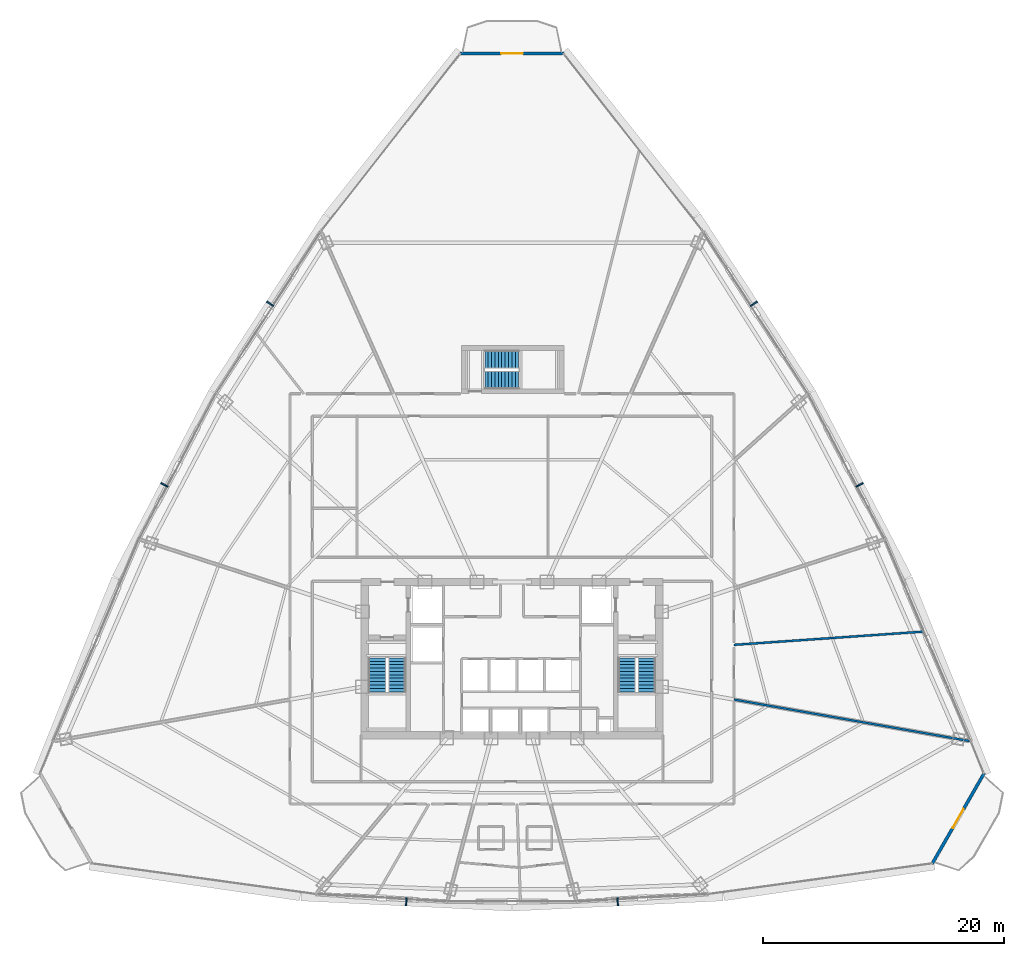
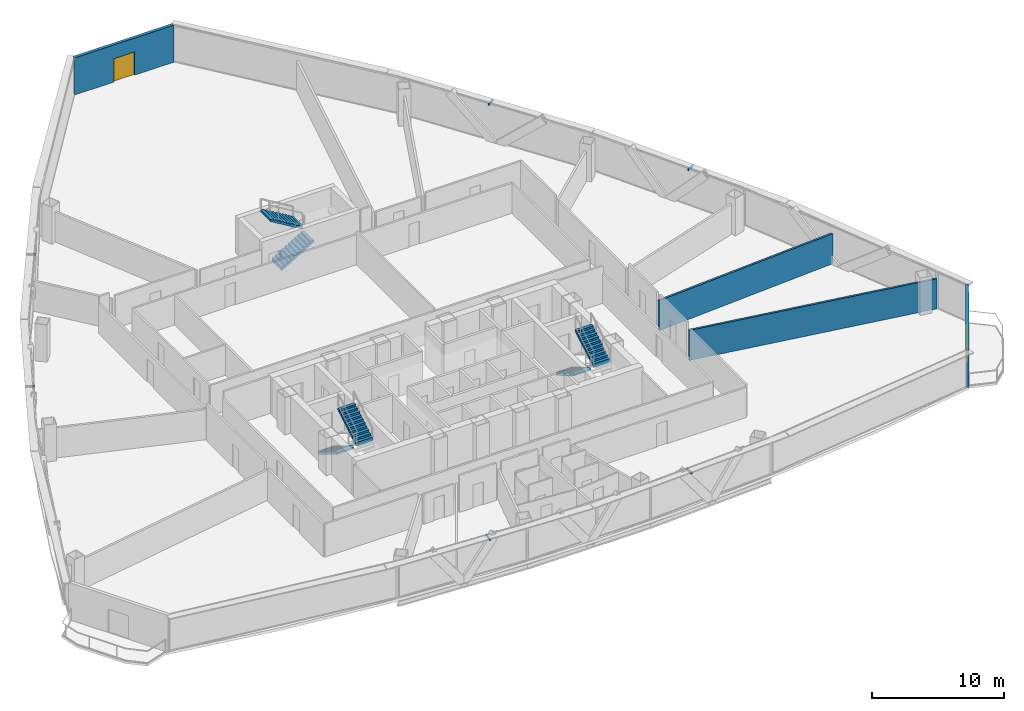
# One storey, part 35 of 39: 6 discrete accessories, 6 stair flights, 4 walls, 2 doors, 2 openings, 3 elements without a shape of their own.
"""IFC4 building model written with IfcOpenShell, lengths in metres."""

from ifc_helpers import new_model, si_unit, direction, frame, frame_2d, origin, origin_with_axes, origin_2d, place, context, subcontext, project, spatial, polyline, rectangle, outline, extrude, source, transform, mapped, material, layer, layer_set, type_object, element, fill, aggregate, save


model = new_model("IFC4")

# Units and contexts
model_context = context("Model", 3, precision=1e-05, world=origin(), true_north=direction((0.0, 1.0)))
body_context = subcontext(model_context, "Body", "Model", "MODEL_VIEW")
ifc_project = project(units=[si_unit("LENGTHUNIT", "METRE"), si_unit("AREAUNIT", "SQUARE_METRE"), si_unit("VOLUMEUNIT", "CUBIC_METRE"), si_unit("PLANEANGLEUNIT", "RADIAN"), si_unit("MASSUNIT", "GRAM", prefix="KILO"), si_unit("THERMODYNAMICTEMPERATUREUNIT", "KELVIN"), si_unit("POWERUNIT", "WATT")], contexts=[model_context])

# Site, building, storey
site_placement = place(None, origin())
site = spatial("IfcSite", under=ifc_project, at=site_placement, CompositionType="ELEMENT")
building_placement = place(site_placement, origin())
building = spatial("IfcBuilding", under=site, at=building_placement, Name="Yunzhuo Pagoda Commons", CompositionType="ELEMENT")
storey_placement = place(building_placement, frame((0.0, 0.0, 166.6298828125)))
storey = spatial("IfcBuildingStorey", under=building, at=storey_placement, Name="L42", CompositionType="ELEMENT", Elevation=166.6298828125)

# Wall, opening, door
ifc_material_1 = material(Name="Precast concrete C40", Category="concrete")
ifc_layer_1 = layer(ifc_material_1, 0.260009765625)
ifc_layer_set_1 = layer_set([ifc_layer_1], Name="Precast concrete C40")
wall_type_1 = type_object("IfcWallType", Name="W-BAL1 Corner Balcony Threshold Wall 260", PredefinedType="STANDARD", material=ifc_layer_set_1)
wall_1_placement = place(storey_placement, frame((82.813720703125, 16.820556640625, 0.0), z_axis=(0.0, 0.0, 1.0), x_axis=(0.497939858886, 0.867211564114, 0.0)))
wall_1 = element("IfcWall", 1, at=wall_1_placement, inside=storey, type_object=wall_type_1, Name="L42 corner balcony wall V2", PredefinedType="STANDARD", context=body_context, shape_type="SweptSolid", body=[
    extrude(rectangle(XDim=8.696044921875, YDim=0.260009765625, at=frame_2d((4.34814453125, 0.0))), origin(), (0.0, 0.0, 1.0), 3.420166015625),
])
opening_1_placement = place(wall_1_placement, frame((3.447998046875, 0.0, 0.0)))
opening_1 = element("IfcOpeningElement", 2, at=opening_1_placement, cuts=wall_1, Name="Opening D-BAL1", PredefinedType="OPENING", context=body_context, shape_type="SweptSolid", body=[
    extrude(rectangle(XDim=1.800048828125, YDim=2.14990234375, at=frame_2d((0.89990234375, 1.074951171875))), frame((0.0, 0.14013671875, 0.0), z_axis=(0.0, -1.0, 0.0), x_axis=(1.0, 0.0, 0.0)), (0.0, 0.0, 1.0), 0.280029296875),
])
ifc_material_2 = material(Name="Anodized aluminium frame and tempered glazed leaf", Category="aluminium")
door_type = type_object("IfcDoorType", Name="D-BAL1 Corner Balcony Sliding Glazed Door 1800x2150", OperationType="DOUBLE_DOOR_SLIDING", PredefinedType="DOOR", material=ifc_material_2)
shared_shape_1 = source(origin(), body_context, "Body", "SweptSolid", [
    extrude(rectangle(XDim=1.800048828125, YDim=2.14990234375, at=frame_2d((0.89990234375, 1.074951171875))), frame((0.0, 0.02490234375, 0.0), z_axis=(0.0, -1.0, 0.0), x_axis=(1.0, 0.0, 0.0)), (0.0, 0.0, 1.0), 0.050048828125),
])
door_1_placement = place(opening_1_placement, origin_with_axes())
door_1 = element("IfcDoor", 3, at=door_1_placement, inside=storey, type_object=door_type, Name="L42 corner balcony sliding door V2", OperationType="DOUBLE_DOOR_SLIDING", OverallHeight=2.14990234375, OverallWidth=1.800048828125, PredefinedType="DOOR", context=body_context, shape_type="MappedRepresentation", body=[
    mapped(shared_shape_1, transform((0.0, 0.0, 0.0), scale=1.0)),
])
fill(opening_1, door_1)

wall_2_placement = place(storey_placement, frame((52.33056640625, 83.997802734375, 0.0), z_axis=(0.0, 0.0, 1.0), x_axis=(-1.0, 0.0, 0.0)))
wall_2 = element("IfcWall", 4, at=wall_2_placement, inside=storey, type_object=wall_type_1, Name="L42 corner balcony wall V3", PredefinedType="STANDARD", context=body_context, shape_type="SweptSolid", body=[
    extrude(rectangle(XDim=8.6611328125, YDim=0.260009765625, at=frame_2d((4.33056640625, 0.0))), origin(), (0.0, 0.0, 1.0), 3.420166015625),
])
opening_2_placement = place(wall_2_placement, frame((3.4306640625, 0.0, 0.0)))
opening_2 = element("IfcOpeningElement", 5, at=opening_2_placement, cuts=wall_2, Name="Opening D-BAL1", PredefinedType="OPENING", context=body_context, shape_type="SweptSolid", body=[
    extrude(rectangle(XDim=1.800048828125, YDim=2.14990234375, at=frame_2d((0.89990234375, 1.074951171875))), frame((0.0, 0.14013671875, 0.0), z_axis=(0.0, -1.0, 0.0), x_axis=(1.0, 0.0, 0.0)), (0.0, 0.0, 1.0), 0.280029296875),
])
door_2_placement = place(opening_2_placement, origin_with_axes())
door_2 = element("IfcDoor", 6, at=door_2_placement, inside=storey, type_object=door_type, Name="L42 corner balcony sliding door V3", OperationType="DOUBLE_DOOR_SLIDING", OverallHeight=2.14990234375, OverallWidth=1.800048828125, PredefinedType="DOOR", context=body_context, shape_type="MappedRepresentation", body=[
    mapped(shared_shape_1, transform((0.0, 0.0, 0.0), scale=1.0)),
])
fill(opening_2, door_2)

# Walls
ifc_material_3 = material(Name="Gypsum plasterboard on acoustic stud")
ifc_layer_2 = layer(ifc_material_3, 0.175048828125)
ifc_layer_set_2 = layer_set([ifc_layer_2], Name="Gypsum plasterboard on acoustic stud")
wall_type_2 = type_object("IfcWallType", Name="W-PRT3 Mid-Zone Demising Wall 175", PredefinedType="PARTITIONING", material=ifc_layer_set_2)
wall_3_placement = place(storey_placement, frame((66.39990234375, 34.98681640625, 0.0), z_axis=(0.0, 0.0, 1.0), x_axis=(0.997565064246, 0.069741971556, 0.0)))
element("IfcWall", 7, at=wall_3_placement, inside=storey, type_object=wall_type_2, Name="L42 interior wall IW-L42-RAD01", PredefinedType="PARTITIONING", context=body_context, shape_type="SweptSolid", body=[
    extrude(rectangle(XDim=15.805419921875, YDim=0.175048828125, at=frame_2d((7.90283203125, 0.0))), origin(), (0.0, 0.0, 1.0), 2.77001953125),
])
wall_4_placement = place(storey_placement, frame((66.39990234375, 30.45556640625, 0.0), z_axis=(0.0, 0.0, 1.0), x_axis=(0.984808700761, -0.173642802629, 0.0)))
element("IfcWall", 8, at=wall_4_placement, inside=storey, type_object=wall_type_2, Name="L42 interior wall IW-L42-RAD15", PredefinedType="PARTITIONING", context=body_context, shape_type="SweptSolid", body=[
    extrude(rectangle(XDim=19.93408203125, YDim=0.175048828125, at=frame_2d((9.967041015625, 0.0))), origin(), (0.0, 0.0, 1.0), 2.77001953125),
])

# Stair, stair flights
ifc_material_4 = material(Name="Concrete C40", Category="concrete")
stair_type_1 = type_object("IfcStairType", Name="ST-C1 Core Smokeproof Stair ST1", PredefinedType="HALF_TURN_STAIR", material=ifc_material_4)
stair_1_placement = place(storey_placement, origin())
stair_1 = element("IfcStair", 9, at=stair_1_placement, inside=storey, type_object=stair_type_1, Name="L42 Core smokeproof stair ST1", PredefinedType="HALF_TURN_STAIR")
stair_flight_type_1 = type_object("IfcStairFlightType", Name="STF-C1 Core Stair Flight 1450", PredefinedType="STRAIGHT", material=ifc_material_4)
shared_shape_2 = source(origin(), body_context, "Body", "SweptSolid", [
    extrude(outline(polyline([(0.0, -0.14990234375), (0.0, 0.0), (0.0, 0.167236328125), (0.280029296875, 0.167236328125), (0.280029296875, 0.33447265625), (0.56005859375, 0.33447265625), (0.56005859375, 0.501708984375), (0.840087890625, 0.501708984375), (0.840087890625, 0.669189453125), (1.1201171875, 0.669189453125), (1.1201171875, 0.83642578125), (1.39990234375, 0.83642578125), (1.39990234375, 1.003662109375), (1.679931640625, 1.003662109375), (1.679931640625, 1.1708984375), (1.9599609375, 1.1708984375), (1.9599609375, 1.338134765625), (2.239990234375, 1.338134765625), (2.239990234375, 1.50537109375), (2.52001953125, 1.50537109375), (2.52001953125, 1.672607421875), (2.800048828125, 1.672607421875), (2.800048828125, 1.840087890625), (2.800048828125, 1.498046875), (0.292236328125, 0.0), (0.050048828125, -0.14990234375), (0.0, -0.14990234375)])), frame((0.0, 0.72509765625, 0.0), z_axis=(0.0, -1.0, 0.0), x_axis=(1.0, 0.0, 0.0)), (0.0, 0.0, 1.0), 1.449951171875),
])
stair_flight_1_placement = place(storey_placement, frame((36.824951171875, 33.89990234375, 0.0), z_axis=(0.0, 0.0, 1.0), x_axis=(0.0, -1.0, 0.0)))
stair_flight_1 = element("IfcStairFlight", 10, at=stair_flight_1_placement, type_object=stair_flight_type_1, Name="ST1 flight 1", NumberOfRisers=11, NumberOfTreads=10, PredefinedType="STRAIGHT", RiserHeight=0.167272727, TreadLength=0.28, context=body_context, shape_type="MappedRepresentation", body=[
    mapped(shared_shape_2, transform((0.0, 0.0, 0.0), scale=1.0)),
])
stair_flight_2_placement = place(storey_placement, frame((38.47509765625, 31.10009765625, 1.840087890625), z_axis=(0.0, 0.0, 1.0), x_axis=(0.0, 1.0, 0.0)))
stair_flight_2 = element("IfcStairFlight", 11, at=stair_flight_2_placement, type_object=stair_flight_type_1, Name="ST1 flight 2", NumberOfRisers=11, NumberOfTreads=10, PredefinedType="STRAIGHT", RiserHeight=0.167272727, TreadLength=0.28, context=body_context, shape_type="MappedRepresentation", body=[
    mapped(shared_shape_2, transform((0.0, 0.0, 0.0), scale=1.0)),
])
aggregate(stair_1, [stair_flight_1, stair_flight_2])

stair_type_2 = type_object("IfcStairType", Name="ST-C2 Core Smokeproof Stair ST2", PredefinedType="HALF_TURN_STAIR", material=ifc_material_4)
stair_2_placement = place(storey_placement, origin())
stair_2 = element("IfcStair", 12, at=stair_2_placement, inside=storey, type_object=stair_type_2, Name="L42 Core smokeproof stair ST2", PredefinedType="HALF_TURN_STAIR")
stair_flight_type_2 = type_object("IfcStairFlightType", Name="STF-C2 Core Stair Flight 1460", PredefinedType="STRAIGHT", material=ifc_material_4)
stair_flight_3_placement = place(storey_placement, frame((57.52490234375, 33.89990234375, 0.0), z_axis=(0.0, 0.0, 1.0), x_axis=(0.0, -1.0, 0.0)))
stair_flight_3 = element("IfcStairFlight", 13, at=stair_flight_3_placement, type_object=stair_flight_type_2, Name="ST2 flight 1", NumberOfRisers=11, NumberOfTreads=10, PredefinedType="STRAIGHT", RiserHeight=0.167272727, TreadLength=0.28, context=body_context, shape_type="MappedRepresentation", body=[
    mapped(shared_shape_2, transform((0.0, 0.0, 0.0), scale=1.0)),
])
stair_flight_4_placement = place(storey_placement, frame((59.175048828125, 31.10009765625, 1.840087890625), z_axis=(0.0, 0.0, 1.0), x_axis=(0.0, 1.0, 0.0)))
stair_flight_4 = element("IfcStairFlight", 14, at=stair_flight_4_placement, type_object=stair_flight_type_2, Name="ST2 flight 2", NumberOfRisers=11, NumberOfTreads=10, PredefinedType="STRAIGHT", RiserHeight=0.167272727, TreadLength=0.28, context=body_context, shape_type="MappedRepresentation", body=[
    mapped(shared_shape_2, transform((0.0, 0.0, 0.0), scale=1.0)),
])
aggregate(stair_2, [stair_flight_3, stair_flight_4])

stair_type_3 = type_object("IfcStairType", Name="ST-C3 North Tower Smokeproof Stair ST3", PredefinedType="HALF_TURN_STAIR", material=ifc_material_4)
stair_3_placement = place(storey_placement, origin())
stair_3 = element("IfcStair", 15, at=stair_3_placement, inside=storey, type_object=stair_type_3, Name="L42 North tower smokeproof stair ST3", PredefinedType="HALF_TURN_STAIR")
stair_flight_type_3 = type_object("IfcStairFlightType", Name="STF-C3 North Stair Flight 1500", PredefinedType="STRAIGHT", material=ifc_material_4)
shared_shape_3 = source(origin(), body_context, "Body", "SweptSolid", [
    extrude(outline(polyline([(0.0, -0.14990234375), (0.0, 0.0), (0.0, 0.167236328125), (0.280029296875, 0.167236328125), (0.280029296875, 0.33447265625), (0.56005859375, 0.33447265625), (0.56005859375, 0.501708984375), (0.840087890625, 0.501708984375), (0.840087890625, 0.669189453125), (1.1201171875, 0.669189453125), (1.1201171875, 0.83642578125), (1.39990234375, 0.83642578125), (1.39990234375, 1.003662109375), (1.679931640625, 1.003662109375), (1.679931640625, 1.1708984375), (1.9599609375, 1.1708984375), (1.9599609375, 1.338134765625), (2.239990234375, 1.338134765625), (2.239990234375, 1.50537109375), (2.52001953125, 1.50537109375), (2.52001953125, 1.672607421875), (2.800048828125, 1.672607421875), (2.800048828125, 1.840087890625), (2.800048828125, 1.498046875), (0.292236328125, 0.0), (0.050048828125, -0.14990234375), (0.0, -0.14990234375)])), frame((0.0, 0.75, 0.0), z_axis=(0.0, -1.0, 0.0), x_axis=(1.0, 0.0, 0.0)), (0.0, 0.0, 1.0), 1.5),
])
stair_flight_5_placement = place(storey_placement, frame((45.75, 56.949951171875, 0.0), z_axis=(0.0, 0.0, 1.0), x_axis=(1.0, 0.0, 0.0)))
stair_flight_5 = element("IfcStairFlight", 16, at=stair_flight_5_placement, type_object=stair_flight_type_3, Name="ST3 flight 1", NumberOfRisers=11, NumberOfTreads=10, PredefinedType="STRAIGHT", RiserHeight=0.167272727, TreadLength=0.28, context=body_context, shape_type="MappedRepresentation", body=[
    mapped(shared_shape_3, transform((0.0, 0.0, 0.0), scale=1.0)),
])
stair_flight_6_placement = place(storey_placement, frame((48.550048828125, 58.64990234375, 1.840087890625), z_axis=(0.0, 0.0, 1.0), x_axis=(-1.0, 0.0, 0.0)))
stair_flight_6 = element("IfcStairFlight", 17, at=stair_flight_6_placement, type_object=stair_flight_type_3, Name="ST3 flight 2", NumberOfRisers=11, NumberOfTreads=10, PredefinedType="STRAIGHT", RiserHeight=0.167272727, TreadLength=0.28, context=body_context, shape_type="MappedRepresentation", body=[
    mapped(shared_shape_3, transform((0.0, 0.0, 0.0), scale=1.0)),
])
aggregate(stair_3, [stair_flight_5, stair_flight_6])

# Discrete accessories
ifc_material_5 = material(Name="Anodized aluminium 6063-T6", Category="aluminium")
discrete_accessory_type = type_object("IfcDiscreteAccessoryType", Name="BK-SUN1 Sunshade Outrigger Bracket", PredefinedType="BRACKET", material=ifc_material_5)
shared_shape_4 = source(origin(), body_context, "Body", "SweptSolid", [
    extrude(rectangle(XDim=0.1201171875, YDim=0.679931640625, at=origin_2d()), origin(), (0.0, 0.0, 1.0), 0.179931640625),
])
for number, where, z_axis, x_axis, name in (
    (18, (39.239990234375, 13.70556640625, 3.2099609375), (0.0, 0.0, 1.0), (0.998818043775, -0.04860571396, 0.0), "L42 sunshade outrigger bracket F1.2"),
    (19, (56.760009765625, 13.70556640625, 3.2099609375), (0.0, 0.0, 1.0), (0.998818043775, 0.04860571396, 0.0), "L42 sunshade outrigger bracket F1.3"),
    (20, (76.80810546875, 48.247314453125, 3.2099609375), (0.0, 0.0, 1.0), (-0.461206683033, 0.88729273384, 0.0), "L42 sunshade outrigger bracket F2.2"),
    (21, (68.0478515625, 63.25439453125, 3.2099609375), (0.0, 0.0, 1.0), (-0.545853380833, 0.837880711458, 0.0), "L42 sunshade outrigger bracket F2.3"),
    (22, (27.9521484375, 63.25439453125, 3.2099609375), (0.0, 0.0, 1.0), (-0.545853380833, -0.837880711458, 0.0), "L42 sunshade outrigger bracket F3.2"),
    (23, (19.19189453125, 48.247314453125, 3.2099609375), (0.0, 0.0, 1.0), (-0.461206683033, -0.88729273384, 0.0), "L42 sunshade outrigger bracket F3.3"),
):
    element("IfcDiscreteAccessory", number, at=place(storey_placement, frame(where, z_axis=z_axis, x_axis=x_axis)), inside=storey, type_object=discrete_accessory_type, Name=name, PredefinedType="BRACKET", context=body_context, shape_type="MappedRepresentation", body=[
        mapped(shared_shape_4, transform((0.0, 0.0, 0.0), scale=1.0)),
    ])

save(model, "model.ifc")
